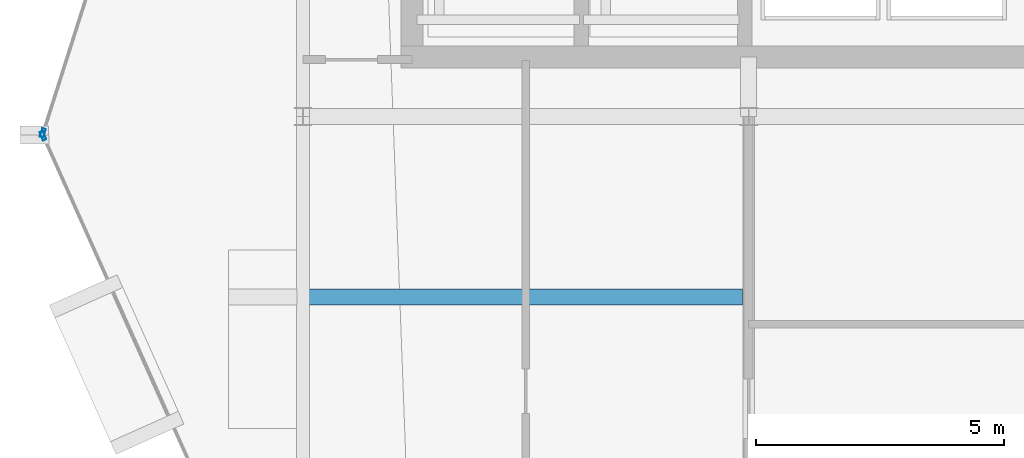
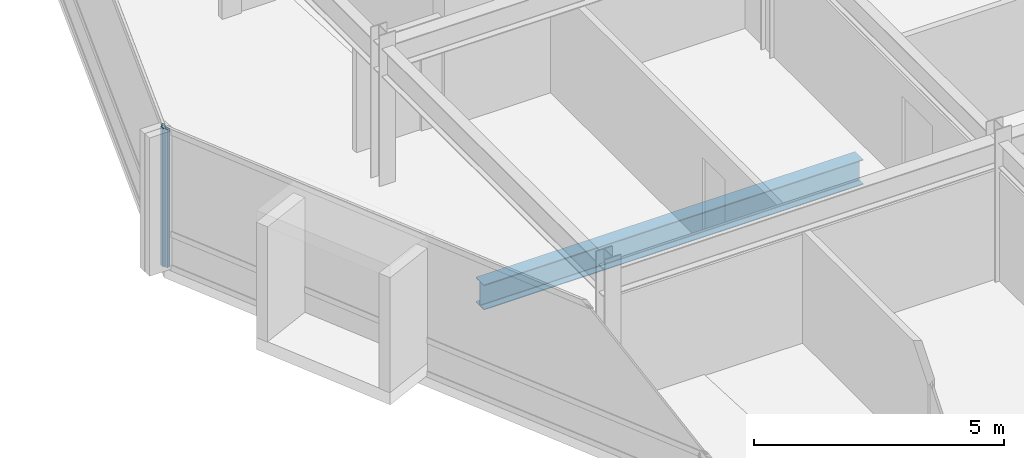
# One storey, part 6 of 19: 2 members, 1 beam, 2 elements without a shape of their own.
"""IFC4 building model written with IfcOpenShell, lengths in metres."""

from ifc_helpers import new_model, si_unit, direction, frame, origin, origin_2d, place, context, subcontext, project, spatial, hollow_rectangle, i_section, extrude, material, layer, layer_set, material_profile, profile_set, type_object, element, aggregate, save


model = new_model("IFC4")

# Units and contexts
model_context = context("Model", 3, precision=1e-05, world=origin(), true_north=direction((0.0, 1.0)))
body_context = subcontext(model_context, "Body", "Model", "MODEL_VIEW")
ifc_project = project(units=[si_unit("LENGTHUNIT", "METRE"), si_unit("AREAUNIT", "SQUARE_METRE"), si_unit("VOLUMEUNIT", "CUBIC_METRE"), si_unit("PLANEANGLEUNIT", "RADIAN"), si_unit("MASSUNIT", "GRAM", prefix="KILO")], contexts=[model_context])

# Site, building, storey
site_placement = place(None, origin())
site = spatial("IfcSite", under=ifc_project, at=site_placement, CompositionType="ELEMENT")
building_placement = place(site_placement, origin())
building = spatial("IfcBuilding", under=site, at=building_placement, Name="Solvaryn Broadcast Tower", CompositionType="ELEMENT")
storey_placement = place(building_placement, frame((0.0, 0.0, 293.699951171875)))
storey = spatial("IfcBuildingStorey", under=building, at=storey_placement, Name="L74", CompositionType="ELEMENT", Elevation=293.699951171875)

# Beam
ifc_material_1 = material(Name="Steel ASTM A992 Grade 50", Category="steel")
ifc_material_profile_1 = material_profile(ifc_material_1, i_section(OverallWidth=0.323974609375, OverallDepth=0.611083984375, WebThickness=0.0126953125, FlangeThickness=0.01904296875, FilletRadius=0.014892578125, at=origin_2d()))
ifc_profile_set_1 = profile_set([ifc_material_profile_1], Name="Steel ASTM A992 Grade 50")
beam_type = type_object("IfcBeamType", Name="BM-B1-W24X104", PredefinedType="BEAM", material=ifc_profile_set_1)
beam_placement = place(storey_placement, frame((17.875, 23.35009765625, -0.58544921875), z_axis=(-1.0, 0.0, 0.0), x_axis=(0.0, -1.0, 0.0)))
element("IfcBeam", 1, at=beam_placement, inside=storey, type_object=beam_type, Name="L74 Bay-Box Back-Span Beam 1", PredefinedType="BEAM", context=body_context, shape_type="SweptSolid", body=[
    extrude(i_section(OverallWidth=0.323974609375, OverallDepth=0.611083984375, WebThickness=0.0126953125, FlangeThickness=0.01904296875, FilletRadius=0.014892578125, at=origin_2d()), origin(), (0.0, 0.0, 1.0), 8.75),
])

# Curtain wall, member
ifc_material_2 = material(Name="Aluminium and Terracotta Unitised Curtain Wall", Category="masonry")
ifc_layer = layer(ifc_material_2, 0.199951171875)
ifc_layer_set = layer_set([ifc_layer], Name="CW-SYS2-LOWMID")
curtain_wall_type = type_object("IfcCurtainWallType", Name="CW-SYS2-LOWMID", PredefinedType="NOTDEFINED", material=ifc_layer_set)
curtain_wall_1_placement = place(storey_placement, origin())
curtain_wall_1 = element("IfcCurtainWall", 2, at=curtain_wall_1_placement, inside=storey, type_object=curtain_wall_type, Name="L74 Curtain Wall DR1", PredefinedType="NOTDEFINED")
ifc_material_3 = material(Name="Anodised Aluminium 6063-T6", Category="aluminium")
ifc_material_profile_2 = material_profile(ifc_material_3, hollow_rectangle(XDim=0.074951171875, YDim=0.179931640625, WallThickness=0.00390625, InnerFilletRadius=0.00390625, OuterFilletRadius=0.008056640625, at=origin_2d()))
ifc_profile_set_2 = profile_set([ifc_material_profile_2], Name="Anodised Aluminium 6063-T6")
member_type = type_object("IfcMemberType", Name="CW-MUL-180", PredefinedType="MULLION", material=ifc_profile_set_2)
member_1_placement = place(storey_placement, frame((3.7470703125, 26.66455078125, 0.0), z_axis=(0.0, 0.0, 1.0), x_axis=(0.952794594701, -0.30361564569, 0.0)))
member_1 = element("IfcMember", 3, at=member_1_placement, type_object=member_type, Name="CWS2 mullion 2", PredefinedType="MULLION", context=body_context, shape_type="SweptSolid", body=[
    extrude(hollow_rectangle(XDim=0.074951171875, YDim=0.179931640625, WallThickness=0.00390625, InnerFilletRadius=0.00390625, OuterFilletRadius=0.008056640625, at=origin_2d()), origin(), (0.0, 0.0, 1.0), 3.3701171875),
])
aggregate(curtain_wall_1, [member_1])

curtain_wall_2_placement = place(storey_placement, origin())
curtain_wall_2 = element("IfcCurtainWall", 4, at=curtain_wall_2_placement, inside=storey, type_object=curtain_wall_type, Name="L74 Curtain Wall DR2", PredefinedType="NOTDEFINED")
member_2_placement = place(storey_placement, frame((3.750244140625, 26.608642578125, 0.0), z_axis=(0.0, 0.0, 1.0), x_axis=(0.912773530574, 0.408466010682, 0.0)))
member_2 = element("IfcMember", 5, at=member_2_placement, type_object=member_type, Name="CWS2 mullion 1", PredefinedType="MULLION", context=body_context, shape_type="SweptSolid", body=[
    extrude(hollow_rectangle(XDim=0.074951171875, YDim=0.179931640625, WallThickness=0.00390625, InnerFilletRadius=0.00390625, OuterFilletRadius=0.008056640625, at=origin_2d()), origin(), (0.0, 0.0, 1.0), 3.3701171875),
])
aggregate(curtain_wall_2, [member_2])

save(model, "model.ifc")
